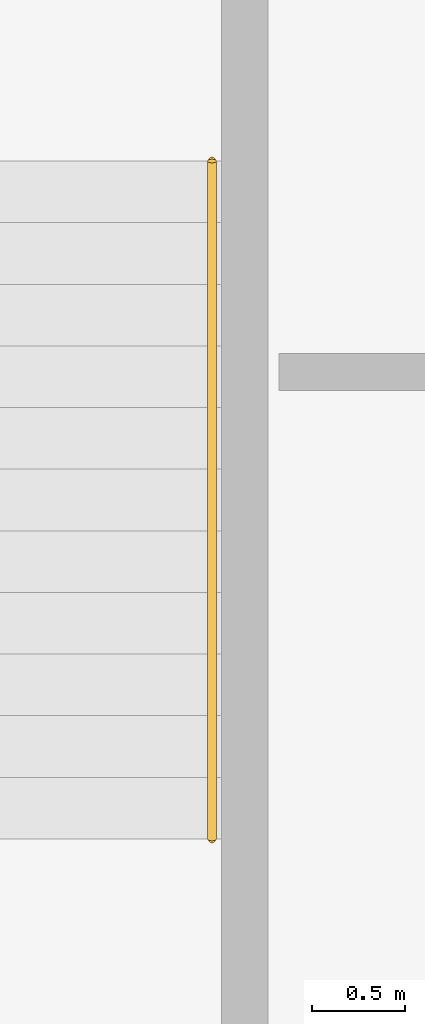
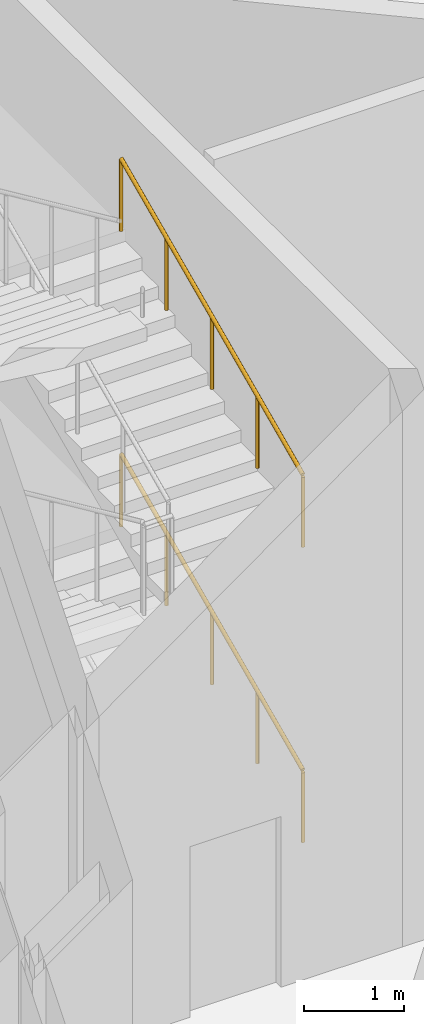
# One storey, part 6 of 7: 2 railings.
"""IFC4 building model written with IfcOpenShell, lengths in metres."""

from ifc_helpers import new_model, si_unit, direction, frame, origin, origin_2d, place, context, subcontext, project, spatial, circle, extrude, material, type_object, element, save


model = new_model("IFC4")

# Units and contexts
model_context = context("Model", 3, precision=1e-05, world=origin(), true_north=direction((0.0, 1.0)))
body_context = subcontext(model_context, "Body", "Model", "MODEL_VIEW")
ifc_project = project(units=[si_unit("LENGTHUNIT", "METRE"), si_unit("AREAUNIT", "SQUARE_METRE"), si_unit("VOLUMEUNIT", "CUBIC_METRE"), si_unit("PLANEANGLEUNIT", "RADIAN"), si_unit("MASSUNIT", "GRAM", prefix="KILO")], contexts=[model_context])

# Site, building, storey
site_placement = place(None, origin())
site = spatial("IfcSite", under=ifc_project, at=site_placement, CompositionType="ELEMENT")
building_placement = place(site_placement, origin())
building = spatial("IfcBuilding", under=site, at=building_placement, Name="Menara Vayukalpa", CompositionType="ELEMENT")
storey_placement = place(building_placement, origin())
storey = spatial("IfcBuildingStorey", under=building, at=storey_placement, Name="L00", CompositionType="ELEMENT", Elevation=0.0)

# Railings
ifc_material = material(Name="Stainless Steel 316 Tubular Handrail", Category="steel")
railing_type = type_object("IfcRailingType", Name="RLG-STH090", PredefinedType="HANDRAIL", material=ifc_material)
railing_1_placement = place(storey_placement, frame((37.60009765625, 19.5, 0.14990234375)))
element("IfcRailing", 1, at=railing_1_placement, inside=storey, type_object=railing_type, Name="L00 ST-3 stair handrail 1", PredefinedType="HANDRAIL", context=body_context, shape_type="SweptSolid", body=[
    extrude(circle(Radius=0.02392578125, at=origin_2d()), frame((0.0, 0.0, 0.8759765625), z_axis=(0.0, 0.910347604671, 0.41384446193), x_axis=(-1.0, 0.0, 0.0)), (0.0, 0.0, 1.0), 3.9873046875),
    extrude(circle(Radius=0.02099609375, at=origin_2d()), origin(), (0.0, 0.0, 1.0), 0.851806640625),
    extrude(circle(Radius=0.02099609375, at=origin_2d()), frame((0.0, 0.907470703125, 0.41259765625)), (0.0, 0.0, 1.0), 0.851806640625),
    extrude(circle(Radius=0.02099609375, at=origin_2d()), frame((0.0, 1.81494140625, 0.8251953125)), (0.0, 0.0, 1.0), 0.851806640625),
    extrude(circle(Radius=0.02099609375, at=origin_2d()), frame((0.0, 2.722412109375, 1.237548828125)), (0.0, 0.0, 1.0), 0.851806640625),
    extrude(circle(Radius=0.02099609375, at=origin_2d()), frame((0.0, 3.6298828125, 1.650146484375)), (0.0, 0.0, 1.0), 0.851806640625),
])
railing_2_placement = place(storey_placement, frame((37.60009765625, 19.5, 3.75)))
element("IfcRailing", 2, at=railing_2_placement, inside=storey, type_object=railing_type, Name="L00 ST-3 stair handrail 3", PredefinedType="HANDRAIL", context=body_context, shape_type="SweptSolid", body=[
    extrude(circle(Radius=0.02392578125, at=origin_2d()), frame((0.0, 0.0, 0.8759765625), z_axis=(0.0, 0.910370671265, 0.413793717811), x_axis=(-1.0, 0.0, 0.0)), (0.0, 0.0, 1.0), 3.9873046875),
    extrude(circle(Radius=0.02099609375, at=origin_2d()), origin(), (0.0, 0.0, 1.0), 0.851806640625),
    extrude(circle(Radius=0.02099609375, at=origin_2d()), frame((0.0, 0.907470703125, 0.41259765625)), (0.0, 0.0, 1.0), 0.851806640625),
    extrude(circle(Radius=0.02099609375, at=origin_2d()), frame((0.0, 1.81494140625, 0.824951171875)), (0.0, 0.0, 1.0), 0.851806640625),
    extrude(circle(Radius=0.02099609375, at=origin_2d()), frame((0.0, 2.722412109375, 1.2373046875)), (0.0, 0.0, 1.0), 0.851806640625),
    extrude(circle(Radius=0.02099609375, at=origin_2d()), frame((0.0, 3.6298828125, 1.64990234375)), (0.0, 0.0, 1.0), 0.851806640625),
])

save(model, "model.ifc")
